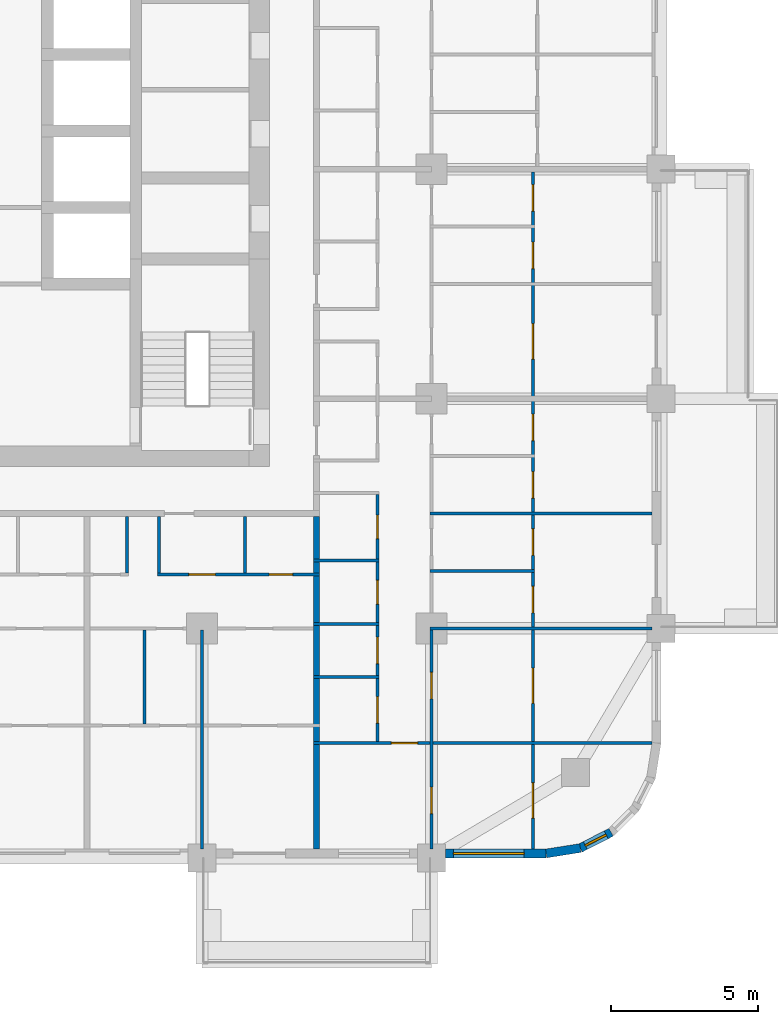
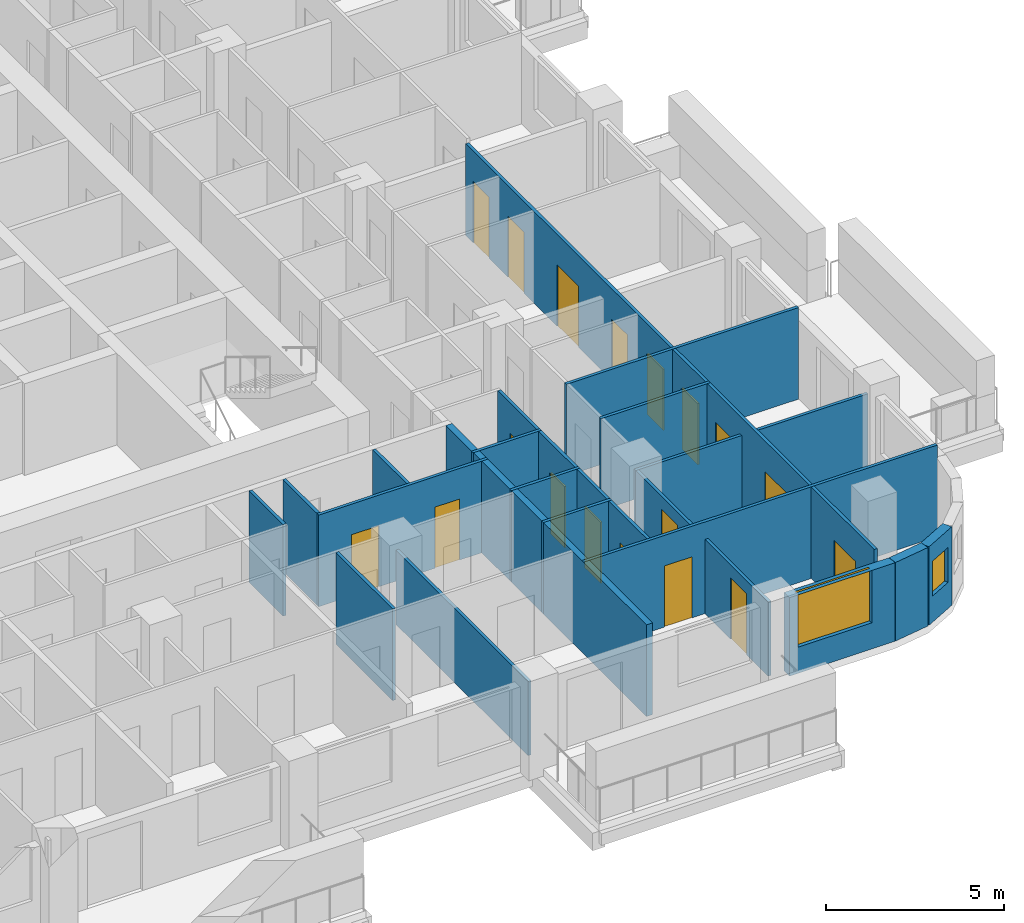
# One storey, part 7 of 18: 20 walls, 18 doors, 2 windows, 20 openings.
"""IFC4 building model written with IfcOpenShell, lengths in metres."""

from ifc_helpers import new_model, si_unit, direction, frame, frame_2d, origin, place, context, subcontext, project, spatial, rectangle, extrude, material, layer, layer_set, type_object, element, fill, save


model = new_model("IFC4")

# Units and contexts
model_context = context("Model", 3, precision=1e-05, world=origin(), true_north=direction((0.0, 1.0)))
body_context = subcontext(model_context, "Body", "Model", "MODEL_VIEW")
ifc_project = project(units=[si_unit("LENGTHUNIT", "METRE"), si_unit("AREAUNIT", "SQUARE_METRE"), si_unit("VOLUMEUNIT", "CUBIC_METRE"), si_unit("PLANEANGLEUNIT", "RADIAN"), si_unit("MASSUNIT", "GRAM", prefix="KILO")], contexts=[model_context])

# Site, building, storey
site_placement = place(None, origin())
site = spatial("IfcSite", under=ifc_project, at=site_placement, CompositionType="ELEMENT")
building_placement = place(site_placement, origin())
building = spatial("IfcBuilding", under=site, at=building_placement, Name="Ludao Terraces", CompositionType="ELEMENT")
storey_placement = place(building_placement, frame((0.0, 0.0, 64.800048828125)))
storey = spatial("IfcBuildingStorey", under=building, at=storey_placement, Name="L17", CompositionType="ELEMENT", Elevation=64.800048828125)

# Wall, opening, window
ifc_material_1 = material(Name="Granite cladding", Category="masonry")
ifc_layer_1 = layer(ifc_material_1, 0.0400390625, Category="stone")
ifc_material_2 = material(Name="Mineral wool")
ifc_layer_2 = layer(ifc_material_2, 0.06005859375)
ifc_material_3 = material(Name="Concrete C40", Category="concrete")
ifc_layer_3 = layer(ifc_material_3, 0.199951171875, Category="concrete")
ifc_layer_set_1 = layer_set([ifc_layer_1, ifc_layer_2, ifc_layer_3], Name="ENV Stone-clad wall 300")
wall_type_1 = type_object("IfcWallType", Name="ENV Stone-clad wall 300", PredefinedType="SOLIDWALL", material=ifc_layer_set_1)
wall_1_placement = place(storey_placement, frame((101.074951171875, 41.75, 0.0), z_axis=(0.0, 0.0, 1.0), x_axis=(1.0, 0.0, 0.0)))
wall_1 = element("IfcWall", 1, at=wall_1_placement, inside=storey, type_object=wall_type_1, Name="EW-L17-S6", PredefinedType="SOLIDWALL", context=body_context, shape_type="SweptSolid", body=[
    extrude(rectangle(XDim=3.425048828125, YDim=0.300048828125, at=frame_2d((1.71240234375, 0.0))), origin(), (0.0, 0.0, 1.0), 2.699951171875),
])
opening_1_placement = place(wall_1_placement, frame((0.27490234375, 0.0, 0.89990234375)))
opening_1 = element("IfcOpeningElement", 2, at=opening_1_placement, cuts=wall_1, Name="Opening W1", PredefinedType="OPENING", context=body_context, shape_type="SweptSolid", body=[
    extrude(rectangle(XDim=2.39990234375, YDim=1.800048828125, at=frame_2d((1.199951171875, 0.89990234375))), frame((0.0, 0.16015625, 0.0), z_axis=(0.0, -1.0, 0.0), x_axis=(1.0, 0.0, 0.0)), (0.0, 0.0, 1.0), 0.320068359375),
])
ifc_material_4 = material(Name="Clear glass in aluminium frame", Category="aluminium")
ifc_layer_4 = layer(ifc_material_4, 0.06005859375)
ifc_layer_set_2 = layer_set([ifc_layer_4], Name="ENV Window W1 2400x1800")
window_type_1 = type_object("IfcWindowType", Name="ENV Window W1 2400x1800", PartitioningType="DOUBLE_PANEL_VERTICAL", PredefinedType="WINDOW", material=ifc_layer_set_2)
window_1_placement = place(opening_1_placement, origin())
window_1 = element("IfcWindow", 3, at=window_1_placement, inside=storey, type_object=window_type_1, Name="W-L17-S6-1", OverallHeight=1.800048828125, OverallWidth=2.39990234375, PartitioningType="DOUBLE_PANEL_VERTICAL", PredefinedType="WINDOW", context=body_context, shape_type="SweptSolid", body=[
    extrude(rectangle(XDim=2.39990234375, YDim=1.800048828125, at=frame_2d((1.199951171875, 0.89990234375))), frame((0.0, 0.030029296875, 0.0), z_axis=(0.0, -1.0, 0.0), x_axis=(1.0, 0.0, 0.0)), (0.0, 0.0, 1.0), 0.06005859375),
])
fill(opening_1, window_1)

# Wall
wall_2_placement = place(storey_placement, frame((104.5, 41.75, 0.0), z_axis=(0.0, 0.0, 1.0), x_axis=(0.987678452879, 0.156496880861, 0.0)))
element("IfcWall", 4, at=wall_2_placement, inside=storey, type_object=wall_type_1, Name="EW-L17-SE1", PredefinedType="SOLIDWALL", context=body_context, shape_type="SweptSolid", body=[
    extrude(rectangle(XDim=1.173095703125, YDim=0.300048828125, at=frame_2d((0.58642578125, 0.0))), origin(), (0.0, 0.0, 1.0), 2.699951171875),
])

# Wall, opening, window
wall_3_placement = place(storey_placement, frame((105.65869140625, 41.93359375, 0.0), z_axis=(0.0, 0.0, 1.0), x_axis=(0.890988677504, 0.454025524128, 0.0)))
wall_3 = element("IfcWall", 5, at=wall_3_placement, inside=storey, type_object=wall_type_1, Name="EW-L17-SE2", PredefinedType="SOLIDWALL", context=body_context, shape_type="SweptSolid", body=[
    extrude(rectangle(XDim=1.17333984375, YDim=0.300048828125, at=frame_2d((0.586669921875, 0.0))), origin(), (0.0, 0.0, 1.0), 2.699951171875),
])
opening_2_placement = place(wall_3_placement, frame((0.1865234375, 0.0, 0.89990234375)))
opening_2 = element("IfcOpeningElement", 6, at=opening_2_placement, cuts=wall_3, Name="Opening W3", PredefinedType="OPENING", context=body_context, shape_type="SweptSolid", body=[
    extrude(rectangle(XDim=0.800048828125, YDim=1.199951171875, at=frame_2d((0.39990234375, 0.60009765625))), frame((0.0, 0.16015625, 0.0), z_axis=(0.0, -1.0, 0.0), x_axis=(1.0, 0.0, 0.0)), (0.0, 0.0, 1.0), 0.320068359375),
])
ifc_layer_5 = layer(ifc_material_4, 0.06005859375)
ifc_layer_set_3 = layer_set([ifc_layer_5], Name="ENV Window W3 800x1200")
window_type_2 = type_object("IfcWindowType", Name="ENV Window W3 800x1200", PartitioningType="SINGLE_PANEL", PredefinedType="WINDOW", material=ifc_layer_set_3)
window_2_placement = place(opening_2_placement, origin())
window_2 = element("IfcWindow", 7, at=window_2_placement, inside=storey, type_object=window_type_2, Name="W-L17-SE2", OverallHeight=1.199951171875, OverallWidth=0.800048828125, PartitioningType="SINGLE_PANEL", PredefinedType="WINDOW", context=body_context, shape_type="SweptSolid", body=[
    extrude(rectangle(XDim=0.800048828125, YDim=1.199951171875, at=frame_2d((0.39990234375, 0.60009765625))), frame((0.0, 0.030029296875, 0.0), z_axis=(0.0, -1.0, 0.0), x_axis=(1.0, 0.0, 0.0)), (0.0, 0.0, 1.0), 0.06005859375),
])
fill(opening_2, window_2)

# Wall, opening, door
ifc_material_5 = material(Name="Gypsum plasterboard", Category="gypsum")
ifc_layer_6 = layer(ifc_material_5, 0.012451171875, Category="gypsum")
ifc_layer_7 = layer(ifc_material_2, 0.06005859375, Name="insulation")
ifc_material_6 = material(Name="Steel Q235", Category="steel")
ifc_layer_8 = layer(ifc_material_6, 0.014892578125, Name="stud")
ifc_layer_9 = layer(ifc_material_5, 0.012451171875, Category="gypsum")
ifc_layer_set_4 = layer_set([ifc_layer_6, ifc_layer_7, ifc_layer_8, ifc_layer_9], Name="INT Partition 100")
wall_type_2 = type_object("IfcWallType", Name="INT Partition 100", PredefinedType="PARTITIONING", material=ifc_layer_set_4)
wall_4_placement = place(storey_placement, frame((96.60009765625, 45.5, 0.0), z_axis=(0.0, 0.0, 1.0), x_axis=(1.0, 0.0, 0.0)))
wall_4 = element("IfcWall", 8, at=wall_4_placement, inside=storey, type_object=wall_type_2, Name="PW-L17-PW001", PredefinedType="PARTITIONING", context=body_context, shape_type="SweptSolid", body=[
    extrude(rectangle(XDim=11.5, YDim=0.10009765625, at=frame_2d((5.75, 0.0))), origin(), (0.0, 0.0, 1.0), 3.14990234375),
])
opening_3_placement = place(wall_4_placement, frame((2.635009765625, 0.0, 0.0)))
opening_3 = element("IfcOpeningElement", 9, at=opening_3_placement, cuts=wall_4, Name="Opening R05-006", PredefinedType="OPENING", context=body_context, shape_type="SweptSolid", body=[
    extrude(rectangle(XDim=0.89990234375, YDim=2.10009765625, at=frame_2d((0.449951171875, 1.050048828125))), frame((0.0, 0.06005859375, 0.0), z_axis=(0.0, -1.0, 0.0), x_axis=(1.0, 0.0, 0.0)), (0.0, 0.0, 1.0), 0.1201171875),
])
ifc_material_7 = material(Name="Timber door leaf", Category="wood")
door_type_1 = type_object("IfcDoorType", Name="INT Room door 900", OperationType="SINGLE_SWING_LEFT", PredefinedType="DOOR", material=ifc_material_7)
door_1_placement = place(opening_3_placement, origin())
door_1 = element("IfcDoor", 10, at=door_1_placement, inside=storey, type_object=door_type_1, Name="DOOR 006", OperationType="SINGLE_SWING_RIGHT", OverallHeight=2.10009765625, OverallWidth=0.89990234375, PredefinedType="DOOR", context=body_context, shape_type="SweptSolid", body=[
    extrude(rectangle(XDim=0.89990234375, YDim=2.10009765625, at=frame_2d((0.449951171875, 1.050048828125))), frame((0.0, 0.02490234375, 0.0), z_axis=(0.0, -1.0, 0.0), x_axis=(1.0, 0.0, 0.0)), (0.0, 0.0, 1.0), 0.050048828125),
])
fill(opening_3, door_1)

# Walls
wall_5_placement = place(storey_placement, frame((96.60009765625, 47.75, 0.0), z_axis=(0.0, 0.0, 1.0), x_axis=(1.0, 0.0, 0.0)))
element("IfcWall", 11, at=wall_5_placement, inside=storey, type_object=wall_type_2, Name="PW-L17-PW005", PredefinedType="PARTITIONING", context=body_context, shape_type="SweptSolid", body=[
    extrude(rectangle(XDim=2.219970703125, YDim=0.10009765625, at=frame_2d((1.10986328125, 0.0))), origin(), (0.0, 0.0, 1.0), 3.14990234375),
])
wall_6_placement = place(storey_placement, frame((100.550048828125, 49.39990234375, 0.0), z_axis=(0.0, 0.0, 1.0), x_axis=(1.0, 0.0, 0.0)))
element("IfcWall", 12, at=wall_6_placement, inside=storey, type_object=wall_type_2, Name="PW-L17-PW009", PredefinedType="PARTITIONING", context=body_context, shape_type="SweptSolid", body=[
    extrude(rectangle(XDim=7.550048828125, YDim=0.10009765625, at=frame_2d((3.77490234375, 0.0))), origin(), (0.0, 0.0, 1.0), 2.5498046875),
])
wall_7_placement = place(storey_placement, frame((96.60009765625, 49.550048828125, 0.0), z_axis=(0.0, 0.0, 1.0), x_axis=(1.0, 0.0, 0.0)))
element("IfcWall", 13, at=wall_7_placement, inside=storey, type_object=wall_type_2, Name="PW-L17-PW010", PredefinedType="PARTITIONING", context=body_context, shape_type="SweptSolid", body=[
    extrude(rectangle(XDim=2.219970703125, YDim=0.10009765625, at=frame_2d((1.10986328125, 0.0))), origin(), (0.0, 0.0, 1.0), 3.14990234375),
])

# Wall, openings, doors
wall_8_placement = place(storey_placement, frame((91.300048828125, 51.22998046875, 0.0), z_axis=(0.0, 0.0, 1.0), x_axis=(1.0, 0.0, 0.0)))
wall_8 = element("IfcWall", 14, at=wall_8_placement, inside=storey, type_object=wall_type_2, Name="PW-L17-PW014", PredefinedType="PARTITIONING", context=body_context, shape_type="SweptSolid", body=[
    extrude(rectangle(XDim=5.5, YDim=0.10009765625, at=frame_2d((2.75, 0.0))), origin(), (0.0, 0.0, 1.0), 3.14990234375),
])
opening_4_placement = place(wall_8_placement, frame((1.06005859375, 0.0, 0.0)))
opening_4 = element("IfcOpeningElement", 15, at=opening_4_placement, cuts=wall_8, Name="Opening R05-040", PredefinedType="OPENING", context=body_context, shape_type="SweptSolid", body=[
    extrude(rectangle(XDim=0.89990234375, YDim=2.10009765625, at=frame_2d((0.449951171875, 1.050048828125))), frame((0.0, 0.06005859375, 0.0), z_axis=(0.0, -1.0, 0.0), x_axis=(1.0, 0.0, 0.0)), (0.0, 0.0, 1.0), 0.1201171875),
])
opening_5_placement = place(wall_8_placement, frame((3.784912109375, 0.0, 0.0)))
opening_5 = element("IfcOpeningElement", 16, at=opening_5_placement, cuts=wall_8, Name="Opening R05-041", PredefinedType="OPENING", context=body_context, shape_type="SweptSolid", body=[
    extrude(rectangle(XDim=0.800048828125, YDim=2.10009765625, at=frame_2d((0.39990234375, 1.050048828125))), frame((0.0, 0.06005859375, 0.0), z_axis=(0.0, -1.0, 0.0), x_axis=(1.0, 0.0, 0.0)), (0.0, 0.0, 1.0), 0.1201171875),
])
door_2_placement = place(opening_4_placement, origin())
door_2 = element("IfcDoor", 17, at=door_2_placement, inside=storey, type_object=door_type_1, Name="DOOR 040", OperationType="SINGLE_SWING_LEFT", OverallHeight=2.10009765625, OverallWidth=0.89990234375, PredefinedType="DOOR", context=body_context, shape_type="SweptSolid", body=[
    extrude(rectangle(XDim=0.89990234375, YDim=2.10009765625, at=frame_2d((0.449951171875, 1.050048828125))), frame((0.0, 0.02490234375, 0.0), z_axis=(0.0, -1.0, 0.0), x_axis=(1.0, 0.0, 0.0)), (0.0, 0.0, 1.0), 0.050048828125),
])
fill(opening_4, door_2)
door_type_2 = type_object("IfcDoorType", Name="INT Store door 800", OperationType="SINGLE_SWING_LEFT", PredefinedType="DOOR", material=ifc_material_7)
door_3_placement = place(opening_5_placement, origin())
door_3 = element("IfcDoor", 18, at=door_3_placement, inside=storey, type_object=door_type_2, Name="DOOR 041", OperationType="SINGLE_SWING_RIGHT", OverallHeight=2.10009765625, OverallWidth=0.800048828125, PredefinedType="DOOR", context=body_context, shape_type="SweptSolid", body=[
    extrude(rectangle(XDim=0.800048828125, YDim=2.10009765625, at=frame_2d((0.39990234375, 1.050048828125))), frame((0.0, 0.02490234375, 0.0), z_axis=(0.0, -1.0, 0.0), x_axis=(1.0, 0.0, 0.0)), (0.0, 0.0, 1.0), 0.050048828125),
])
fill(opening_5, door_3)

# Walls
wall_9_placement = place(storey_placement, frame((100.550048828125, 51.35009765625, 0.0), z_axis=(0.0, 0.0, 1.0), x_axis=(1.0, 0.0, 0.0)))
element("IfcWall", 19, at=wall_9_placement, inside=storey, type_object=wall_type_2, Name="PW-L17-PW015", PredefinedType="PARTITIONING", context=body_context, shape_type="SweptSolid", body=[
    extrude(rectangle(XDim=3.550048828125, YDim=0.10009765625, at=frame_2d((1.77490234375, 0.0))), origin(), (0.0, 0.0, 1.0), 3.14990234375),
])
wall_10_placement = place(storey_placement, frame((96.60009765625, 51.699951171875, 0.0), z_axis=(0.0, 0.0, 1.0), x_axis=(1.0, 0.0, 0.0)))
element("IfcWall", 20, at=wall_10_placement, inside=storey, type_object=wall_type_2, Name="PW-L17-PW017", PredefinedType="PARTITIONING", context=body_context, shape_type="SweptSolid", body=[
    extrude(rectangle(XDim=2.219970703125, YDim=0.10009765625, at=frame_2d((1.10986328125, 0.0))), origin(), (0.0, 0.0, 1.0), 3.14990234375),
])
wall_11_placement = place(storey_placement, frame((100.550048828125, 53.300048828125, 0.0), z_axis=(0.0, 0.0, 1.0), x_axis=(1.0, 0.0, 0.0)))
element("IfcWall", 21, at=wall_11_placement, inside=storey, type_object=wall_type_2, Name="PW-L17-PW020", PredefinedType="PARTITIONING", context=body_context, shape_type="SweptSolid", body=[
    extrude(rectangle(XDim=7.550048828125, YDim=0.10009765625, at=frame_2d((3.77490234375, 0.0))), origin(), (0.0, 0.0, 1.0), 3.14990234375),
])
wall_12_placement = place(storey_placement, frame((90.25, 51.280029296875, 0.0), z_axis=(0.0, 0.0, 1.0), x_axis=(0.0, 1.0, 0.0)))
element("IfcWall", 22, at=wall_12_placement, inside=storey, type_object=wall_type_2, Name="PW-L17-PW111", PredefinedType="PARTITIONING", context=body_context, shape_type="SweptSolid", body=[
    extrude(rectangle(XDim=1.920166015625, YDim=0.10009765625, at=frame_2d((0.9599609375, 0.0))), origin(), (0.0, 0.0, 1.0), 3.14990234375),
])
wall_13_placement = place(storey_placement, frame((90.85009765625, 46.150146484375, 0.0), z_axis=(0.0, 0.0, 1.0), x_axis=(0.0, 1.0, 0.0)))
element("IfcWall", 23, at=wall_13_placement, inside=storey, type_object=wall_type_2, Name="PW-L17-PW112", PredefinedType="PARTITIONING", context=body_context, shape_type="SweptSolid", body=[
    extrude(rectangle(XDim=3.199951171875, YDim=0.10009765625, at=frame_2d((1.60009765625, 0.0))), origin(), (0.0, 0.0, 1.0), 3.14990234375),
])
wall_14_placement = place(storey_placement, frame((91.35009765625, 51.280029296875, 0.0), z_axis=(0.0, 0.0, 1.0), x_axis=(0.0, 1.0, 0.0)))
element("IfcWall", 24, at=wall_14_placement, inside=storey, type_object=wall_type_2, Name="PW-L17-PW113", PredefinedType="PARTITIONING", context=body_context, shape_type="SweptSolid", body=[
    extrude(rectangle(XDim=1.920166015625, YDim=0.10009765625, at=frame_2d((0.9599609375, 0.0))), origin(), (0.0, 0.0, 1.0), 3.14990234375),
])
wall_15_placement = place(storey_placement, frame((92.800048828125, 41.900146484375, 0.0), z_axis=(0.0, 0.0, 1.0), x_axis=(0.0, 1.0, 0.0)))
element("IfcWall", 25, at=wall_15_placement, inside=storey, type_object=wall_type_2, Name="PW-L17-PW114", PredefinedType="PARTITIONING", context=body_context, shape_type="SweptSolid", body=[
    extrude(rectangle(XDim=7.449951171875, YDim=0.10009765625, at=frame_2d((3.72509765625, 0.0))), origin(), (0.0, 0.0, 1.0), 2.5498046875),
])
wall_16_placement = place(storey_placement, frame((94.27001953125, 51.280029296875, 0.0), z_axis=(0.0, 0.0, 1.0), x_axis=(0.0, 1.0, 0.0)))
element("IfcWall", 26, at=wall_16_placement, inside=storey, type_object=wall_type_2, Name="PW-L17-PW116", PredefinedType="PARTITIONING", context=body_context, shape_type="SweptSolid", body=[
    extrude(rectangle(XDim=1.920166015625, YDim=0.10009765625, at=frame_2d((0.9599609375, 0.0))), origin(), (0.0, 0.0, 1.0), 3.14990234375),
])

# Wall, openings, doors
wall_17_placement = place(storey_placement, frame((98.77001953125, 45.550048828125, 0.0), z_axis=(0.0, 0.0, 1.0), x_axis=(0.0, 1.0, 0.0)))
wall_17 = element("IfcWall", 27, at=wall_17_placement, inside=storey, type_object=wall_type_2, Name="PW-L17-PW120", PredefinedType="PARTITIONING", context=body_context, shape_type="SweptSolid", body=[
    extrude(rectangle(XDim=8.400146484375, YDim=0.10009765625, at=frame_2d((4.2001953125, 0.0))), origin(), (0.0, 0.0, 1.0), 3.14990234375),
])
opening_6_placement = place(wall_17_placement, frame((0.625, 0.0, 0.0)))
opening_6 = element("IfcOpeningElement", 28, at=opening_6_placement, cuts=wall_17, Name="Opening R05-017", PredefinedType="OPENING", context=body_context, shape_type="SweptSolid", body=[
    extrude(rectangle(XDim=0.89990234375, YDim=2.10009765625, at=frame_2d((0.449951171875, 1.050048828125))), frame((0.0, 0.06005859375, 0.0), z_axis=(0.0, -1.0, 0.0), x_axis=(1.0, 0.0, 0.0)), (0.0, 0.0, 1.0), 0.1201171875),
])
opening_7_placement = place(wall_17_placement, frame((2.64990234375, 0.0, 0.0)))
opening_7 = element("IfcOpeningElement", 29, at=opening_7_placement, cuts=wall_17, Name="Opening R05-023", PredefinedType="OPENING", context=body_context, shape_type="SweptSolid", body=[
    extrude(rectangle(XDim=0.89990234375, YDim=2.10009765625, at=frame_2d((0.449951171875, 1.050048828125))), frame((0.0, 0.06005859375, 0.0), z_axis=(0.0, -1.0, 0.0), x_axis=(1.0, 0.0, 0.0)), (0.0, 0.0, 1.0), 0.1201171875),
])
opening_8_placement = place(wall_17_placement, frame((4.675048828125, 0.0, 0.0)))
opening_8 = element("IfcOpeningElement", 30, at=opening_8_placement, cuts=wall_17, Name="Opening R05-032", PredefinedType="OPENING", context=body_context, shape_type="SweptSolid", body=[
    extrude(rectangle(XDim=0.800048828125, YDim=2.10009765625, at=frame_2d((0.39990234375, 1.050048828125))), frame((0.0, 0.06005859375, 0.0), z_axis=(0.0, -1.0, 0.0), x_axis=(1.0, 0.0, 0.0)), (0.0, 0.0, 1.0), 0.1201171875),
])
opening_9_placement = place(wall_17_placement, frame((6.89990234375, 0.0, 0.0)))
opening_9 = element("IfcOpeningElement", 31, at=opening_9_placement, cuts=wall_17, Name="Opening R05-047", PredefinedType="OPENING", context=body_context, shape_type="SweptSolid", body=[
    extrude(rectangle(XDim=0.800048828125, YDim=2.10009765625, at=frame_2d((0.39990234375, 1.050048828125))), frame((0.0, 0.06005859375, 0.0), z_axis=(0.0, -1.0, 0.0), x_axis=(1.0, 0.0, 0.0)), (0.0, 0.0, 1.0), 0.1201171875),
])
door_type_3 = type_object("IfcDoorType", Name="INT Bathroom door 900", OperationType="SINGLE_SWING_LEFT", PredefinedType="DOOR", material=ifc_material_7)
door_4_placement = place(opening_6_placement, origin())
door_4 = element("IfcDoor", 32, at=door_4_placement, inside=storey, type_object=door_type_3, Name="DOOR 017", OperationType="SINGLE_SWING_LEFT", OverallHeight=2.10009765625, OverallWidth=0.89990234375, PredefinedType="DOOR", context=body_context, shape_type="SweptSolid", body=[
    extrude(rectangle(XDim=0.89990234375, YDim=2.10009765625, at=frame_2d((0.449951171875, 1.050048828125))), frame((0.0, 0.02490234375, 0.0), z_axis=(0.0, -1.0, 0.0), x_axis=(1.0, 0.0, 0.0)), (0.0, 0.0, 1.0), 0.050048828125),
])
fill(opening_6, door_4)
door_5_placement = place(opening_7_placement, origin())
door_5 = element("IfcDoor", 33, at=door_5_placement, inside=storey, type_object=door_type_3, Name="DOOR 023", OperationType="SINGLE_SWING_RIGHT", OverallHeight=2.10009765625, OverallWidth=0.89990234375, PredefinedType="DOOR", context=body_context, shape_type="SweptSolid", body=[
    extrude(rectangle(XDim=0.89990234375, YDim=2.10009765625, at=frame_2d((0.449951171875, 1.050048828125))), frame((0.0, 0.02490234375, 0.0), z_axis=(0.0, -1.0, 0.0), x_axis=(1.0, 0.0, 0.0)), (0.0, 0.0, 1.0), 0.050048828125),
])
fill(opening_7, door_5)
door_6_placement = place(opening_8_placement, origin())
door_6 = element("IfcDoor", 34, at=door_6_placement, inside=storey, type_object=door_type_2, Name="DOOR 032", OperationType="SINGLE_SWING_LEFT", OverallHeight=2.10009765625, OverallWidth=0.800048828125, PredefinedType="DOOR", context=body_context, shape_type="SweptSolid", body=[
    extrude(rectangle(XDim=0.800048828125, YDim=2.10009765625, at=frame_2d((0.39990234375, 1.050048828125))), frame((0.0, 0.02490234375, 0.0), z_axis=(0.0, -1.0, 0.0), x_axis=(1.0, 0.0, 0.0)), (0.0, 0.0, 1.0), 0.050048828125),
])
fill(opening_8, door_6)
door_7_placement = place(opening_9_placement, origin())
door_7 = element("IfcDoor", 35, at=door_7_placement, inside=storey, type_object=door_type_2, Name="DOOR 047", OperationType="SINGLE_SWING_LEFT", OverallHeight=2.10009765625, OverallWidth=0.800048828125, PredefinedType="DOOR", context=body_context, shape_type="SweptSolid", body=[
    extrude(rectangle(XDim=0.800048828125, YDim=2.10009765625, at=frame_2d((0.39990234375, 1.050048828125))), frame((0.0, 0.02490234375, 0.0), z_axis=(0.0, -1.0, 0.0), x_axis=(1.0, 0.0, 0.0)), (0.0, 0.0, 1.0), 0.050048828125),
])
fill(opening_9, door_7)

wall_18_placement = place(storey_placement, frame((100.60009765625, 41.900146484375, 0.0), z_axis=(0.0, 0.0, 1.0), x_axis=(0.0, 1.0, 0.0)))
wall_18 = element("IfcWall", 36, at=wall_18_placement, inside=storey, type_object=wall_type_2, Name="PW-L17-PW125", PredefinedType="PARTITIONING", context=body_context, shape_type="SweptSolid", body=[
    extrude(rectangle(XDim=7.499755859375, YDim=0.10009765625, at=frame_2d((3.75, 0.0))), origin(), (0.0, 0.0, 1.0), 2.5498046875),
])
opening_10_placement = place(wall_18_placement, frame((1.199951171875, 0.0, 0.0)))
opening_10 = element("IfcOpeningElement", 37, at=opening_10_placement, cuts=wall_18, Name="Opening R05-003", PredefinedType="OPENING", context=body_context, shape_type="SweptSolid", body=[
    extrude(rectangle(XDim=0.89990234375, YDim=2.10009765625, at=frame_2d((0.449951171875, 1.050048828125))), frame((0.0, 0.06005859375, 0.0), z_axis=(0.0, -1.0, 0.0), x_axis=(1.0, 0.0, 0.0)), (0.0, 0.0, 1.0), 0.1201171875),
])
opening_11_placement = place(wall_18_placement, frame((5.10009765625, 0.0, 0.0)))
opening_11 = element("IfcOpeningElement", 38, at=opening_11_placement, cuts=wall_18, Name="Opening R05-019", PredefinedType="OPENING", context=body_context, shape_type="SweptSolid", body=[
    extrude(rectangle(XDim=0.89990234375, YDim=2.10009765625, at=frame_2d((0.449951171875, 1.050048828125))), frame((0.0, 0.06005859375, 0.0), z_axis=(0.0, -1.0, 0.0), x_axis=(1.0, 0.0, 0.0)), (0.0, 0.0, 1.0), 0.1201171875),
])
door_8_placement = place(opening_10_placement, origin())
door_8 = element("IfcDoor", 39, at=door_8_placement, inside=storey, type_object=door_type_1, Name="DOOR 003", OperationType="SINGLE_SWING_RIGHT", OverallHeight=2.10009765625, OverallWidth=0.89990234375, PredefinedType="DOOR", context=body_context, shape_type="SweptSolid", body=[
    extrude(rectangle(XDim=0.89990234375, YDim=2.10009765625, at=frame_2d((0.449951171875, 1.050048828125))), frame((0.0, 0.02490234375, 0.0), z_axis=(0.0, -1.0, 0.0), x_axis=(1.0, 0.0, 0.0)), (0.0, 0.0, 1.0), 0.050048828125),
])
fill(opening_10, door_8)
door_9_placement = place(opening_11_placement, origin())
door_9 = element("IfcDoor", 40, at=door_9_placement, inside=storey, type_object=door_type_1, Name="DOOR 019", OperationType="SINGLE_SWING_RIGHT", OverallHeight=2.10009765625, OverallWidth=0.89990234375, PredefinedType="DOOR", context=body_context, shape_type="SweptSolid", body=[
    extrude(rectangle(XDim=0.89990234375, YDim=2.10009765625, at=frame_2d((0.449951171875, 1.050048828125))), frame((0.0, 0.02490234375, 0.0), z_axis=(0.0, -1.0, 0.0), x_axis=(1.0, 0.0, 0.0)), (0.0, 0.0, 1.0), 0.050048828125),
])
fill(opening_11, door_9)

wall_19_placement = place(storey_placement, frame((104.050048828125, 41.900146484375, 0.0), z_axis=(0.0, 0.0, 1.0), x_axis=(0.0, 1.0, 0.0)))
wall_19 = element("IfcWall", 41, at=wall_19_placement, inside=storey, type_object=wall_type_2, Name="PW-L17-PW126", PredefinedType="PARTITIONING", context=body_context, shape_type="SweptSolid", body=[
    extrude(rectangle(XDim=23.0, YDim=0.10009765625, at=frame_2d((11.5, 0.0))), origin(), (0.0, 0.0, 1.0), 3.14990234375),
])
opening_12_placement = place(wall_19_placement, frame((1.050048828125, 0.0, 0.0)))
opening_12 = element("IfcOpeningElement", 42, at=opening_12_placement, cuts=wall_19, Name="Opening R05-004", PredefinedType="OPENING", context=body_context, shape_type="SweptSolid", body=[
    extrude(rectangle(XDim=1.199951171875, YDim=2.10009765625, at=frame_2d((0.60009765625, 1.050048828125))), frame((0.0, 0.06005859375, 0.0), z_axis=(0.0, -1.0, 0.0), x_axis=(1.0, 0.0, 0.0)), (0.0, 0.0, 1.0), 0.1201171875),
])
opening_13_placement = place(wall_19_placement, frame((4.949951171875, 0.0, 0.0)))
opening_13 = element("IfcOpeningElement", 43, at=opening_13_placement, cuts=wall_19, Name="Opening R05-020", PredefinedType="OPENING", context=body_context, shape_type="SweptSolid", body=[
    extrude(rectangle(XDim=1.199951171875, YDim=2.10009765625, at=frame_2d((0.60009765625, 1.050048828125))), frame((0.0, 0.06005859375, 0.0), z_axis=(0.0, -1.0, 0.0), x_axis=(1.0, 0.0, 0.0)), (0.0, 0.0, 1.0), 0.1201171875),
])
opening_14_placement = place(wall_19_placement, frame((8.02490234375, 0.0, 0.0)))
opening_14 = element("IfcOpeningElement", 44, at=opening_14_placement, cuts=wall_19, Name="Opening R05-031", PredefinedType="OPENING", context=body_context, shape_type="SweptSolid", body=[
    extrude(rectangle(XDim=0.89990234375, YDim=2.10009765625, at=frame_2d((0.449951171875, 1.050048828125))), frame((0.0, 0.06005859375, 0.0), z_axis=(0.0, -1.0, 0.0), x_axis=(1.0, 0.0, 0.0)), (0.0, 0.0, 1.0), 0.1201171875),
])
opening_15_placement = place(wall_19_placement, frame((9.97509765625, 0.0, 0.0)))
opening_15 = element("IfcOpeningElement", 45, at=opening_15_placement, cuts=wall_19, Name="Opening R05-045", PredefinedType="OPENING", context=body_context, shape_type="SweptSolid", body=[
    extrude(rectangle(XDim=0.89990234375, YDim=2.10009765625, at=frame_2d((0.449951171875, 1.050048828125))), frame((0.0, 0.06005859375, 0.0), z_axis=(0.0, -1.0, 0.0), x_axis=(1.0, 0.0, 0.0)), (0.0, 0.0, 1.0), 0.1201171875),
])
opening_16_placement = place(wall_19_placement, frame((11.925048828125, 0.0, 0.0)))
opening_16 = element("IfcOpeningElement", 46, at=opening_16_placement, cuts=wall_19, Name="Opening R05-051", PredefinedType="OPENING", context=body_context, shape_type="SweptSolid", body=[
    extrude(rectangle(XDim=0.89990234375, YDim=2.10009765625, at=frame_2d((0.449951171875, 1.050048828125))), frame((0.0, 0.06005859375, 0.0), z_axis=(0.0, -1.0, 0.0), x_axis=(1.0, 0.0, 0.0)), (0.0, 0.0, 1.0), 0.1201171875),
])
opening_17_placement = place(wall_19_placement, frame((13.875, 0.0, 0.0)))
opening_17 = element("IfcOpeningElement", 47, at=opening_17_placement, cuts=wall_19, Name="Opening R05-060", PredefinedType="OPENING", context=body_context, shape_type="SweptSolid", body=[
    extrude(rectangle(XDim=0.89990234375, YDim=2.10009765625, at=frame_2d((0.449951171875, 1.050048828125))), frame((0.0, 0.06005859375, 0.0), z_axis=(0.0, -1.0, 0.0), x_axis=(1.0, 0.0, 0.0)), (0.0, 0.0, 1.0), 0.1201171875),
])
opening_18_placement = place(wall_19_placement, frame((16.64990234375, 0.0, 0.0)))
opening_18 = element("IfcOpeningElement", 48, at=opening_18_placement, cuts=wall_19, Name="Opening R05-068", PredefinedType="OPENING", context=body_context, shape_type="SweptSolid", body=[
    extrude(rectangle(XDim=1.199951171875, YDim=2.10009765625, at=frame_2d((0.60009765625, 1.050048828125))), frame((0.0, 0.06005859375, 0.0), z_axis=(0.0, -1.0, 0.0), x_axis=(1.0, 0.0, 0.0)), (0.0, 0.0, 1.0), 0.1201171875),
])
opening_19_placement = place(wall_19_placement, frame((19.72509765625, 0.0, 0.0)))
opening_19 = element("IfcOpeningElement", 49, at=opening_19_placement, cuts=wall_19, Name="Opening R05-077", PredefinedType="OPENING", context=body_context, shape_type="SweptSolid", body=[
    extrude(rectangle(XDim=0.89990234375, YDim=2.10009765625, at=frame_2d((0.449951171875, 1.050048828125))), frame((0.0, 0.06005859375, 0.0), z_axis=(0.0, -1.0, 0.0), x_axis=(1.0, 0.0, 0.0)), (0.0, 0.0, 1.0), 0.1201171875),
])
opening_20_placement = place(wall_19_placement, frame((21.675048828125, 0.0, 0.0)))
opening_20 = element("IfcOpeningElement", 50, at=opening_20_placement, cuts=wall_19, Name="Opening R05-086", PredefinedType="OPENING", context=body_context, shape_type="SweptSolid", body=[
    extrude(rectangle(XDim=0.89990234375, YDim=2.10009765625, at=frame_2d((0.449951171875, 1.050048828125))), frame((0.0, 0.06005859375, 0.0), z_axis=(0.0, -1.0, 0.0), x_axis=(1.0, 0.0, 0.0)), (0.0, 0.0, 1.0), 0.1201171875),
])
door_10_placement = place(opening_14_placement, origin())
door_10 = element("IfcDoor", 51, at=door_10_placement, inside=storey, type_object=door_type_3, Name="DOOR 031", OperationType="SINGLE_SWING_LEFT", OverallHeight=2.10009765625, OverallWidth=0.89990234375, PredefinedType="DOOR", context=body_context, shape_type="SweptSolid", body=[
    extrude(rectangle(XDim=0.89990234375, YDim=2.10009765625, at=frame_2d((0.449951171875, 1.050048828125))), frame((0.0, 0.02490234375, 0.0), z_axis=(0.0, -1.0, 0.0), x_axis=(1.0, 0.0, 0.0)), (0.0, 0.0, 1.0), 0.050048828125),
])
fill(opening_14, door_10)
door_11_placement = place(opening_16_placement, origin())
door_11 = element("IfcDoor", 52, at=door_11_placement, inside=storey, type_object=door_type_3, Name="DOOR 051", OperationType="SINGLE_SWING_LEFT", OverallHeight=2.10009765625, OverallWidth=0.89990234375, PredefinedType="DOOR", context=body_context, shape_type="SweptSolid", body=[
    extrude(rectangle(XDim=0.89990234375, YDim=2.10009765625, at=frame_2d((0.449951171875, 1.050048828125))), frame((0.0, 0.02490234375, 0.0), z_axis=(0.0, -1.0, 0.0), x_axis=(1.0, 0.0, 0.0)), (0.0, 0.0, 1.0), 0.050048828125),
])
fill(opening_16, door_11)
door_12_placement = place(opening_19_placement, origin())
door_12 = element("IfcDoor", 53, at=door_12_placement, inside=storey, type_object=door_type_3, Name="DOOR 077", OperationType="SINGLE_SWING_RIGHT", OverallHeight=2.10009765625, OverallWidth=0.89990234375, PredefinedType="DOOR", context=body_context, shape_type="SweptSolid", body=[
    extrude(rectangle(XDim=0.89990234375, YDim=2.10009765625, at=frame_2d((0.449951171875, 1.050048828125))), frame((0.0, 0.02490234375, 0.0), z_axis=(0.0, -1.0, 0.0), x_axis=(1.0, 0.0, 0.0)), (0.0, 0.0, 1.0), 0.050048828125),
])
fill(opening_19, door_12)
door_type_4 = type_object("IfcDoorType", Name="INT Double door 1200", OperationType="DOUBLE_DOOR_SINGLE_SWING", PredefinedType="DOOR", material=ifc_material_7)
door_13_placement = place(opening_12_placement, origin())
door_13 = element("IfcDoor", 54, at=door_13_placement, inside=storey, type_object=door_type_4, Name="DOOR 004", OperationType="DOUBLE_DOOR_SINGLE_SWING", OverallHeight=2.10009765625, OverallWidth=1.199951171875, PredefinedType="DOOR", context=body_context, shape_type="SweptSolid", body=[
    extrude(rectangle(XDim=1.199951171875, YDim=2.10009765625, at=frame_2d((0.60009765625, 1.050048828125))), frame((0.0, 0.02490234375, 0.0), z_axis=(0.0, -1.0, 0.0), x_axis=(1.0, 0.0, 0.0)), (0.0, 0.0, 1.0), 0.050048828125),
])
fill(opening_12, door_13)
door_14_placement = place(opening_13_placement, origin())
door_14 = element("IfcDoor", 55, at=door_14_placement, inside=storey, type_object=door_type_4, Name="DOOR 020", OperationType="DOUBLE_DOOR_SINGLE_SWING", OverallHeight=2.10009765625, OverallWidth=1.199951171875, PredefinedType="DOOR", context=body_context, shape_type="SweptSolid", body=[
    extrude(rectangle(XDim=1.199951171875, YDim=2.10009765625, at=frame_2d((0.60009765625, 1.050048828125))), frame((0.0, 0.02490234375, 0.0), z_axis=(0.0, -1.0, 0.0), x_axis=(1.0, 0.0, 0.0)), (0.0, 0.0, 1.0), 0.050048828125),
])
fill(opening_13, door_14)
door_15_placement = place(opening_18_placement, origin())
door_15 = element("IfcDoor", 56, at=door_15_placement, inside=storey, type_object=door_type_4, Name="DOOR 068", OperationType="DOUBLE_DOOR_SINGLE_SWING", OverallHeight=2.10009765625, OverallWidth=1.199951171875, PredefinedType="DOOR", context=body_context, shape_type="SweptSolid", body=[
    extrude(rectangle(XDim=1.199951171875, YDim=2.10009765625, at=frame_2d((0.60009765625, 1.050048828125))), frame((0.0, 0.02490234375, 0.0), z_axis=(0.0, -1.0, 0.0), x_axis=(1.0, 0.0, 0.0)), (0.0, 0.0, 1.0), 0.050048828125),
])
fill(opening_18, door_15)
door_16_placement = place(opening_15_placement, origin())
door_16 = element("IfcDoor", 57, at=door_16_placement, inside=storey, type_object=door_type_1, Name="DOOR 045", OperationType="SINGLE_SWING_LEFT", OverallHeight=2.10009765625, OverallWidth=0.89990234375, PredefinedType="DOOR", context=body_context, shape_type="SweptSolid", body=[
    extrude(rectangle(XDim=0.89990234375, YDim=2.10009765625, at=frame_2d((0.449951171875, 1.050048828125))), frame((0.0, 0.02490234375, 0.0), z_axis=(0.0, -1.0, 0.0), x_axis=(1.0, 0.0, 0.0)), (0.0, 0.0, 1.0), 0.050048828125),
])
fill(opening_15, door_16)
door_17_placement = place(opening_17_placement, origin())
door_17 = element("IfcDoor", 58, at=door_17_placement, inside=storey, type_object=door_type_1, Name="DOOR 060", OperationType="SINGLE_SWING_RIGHT", OverallHeight=2.10009765625, OverallWidth=0.89990234375, PredefinedType="DOOR", context=body_context, shape_type="SweptSolid", body=[
    extrude(rectangle(XDim=0.89990234375, YDim=2.10009765625, at=frame_2d((0.449951171875, 1.050048828125))), frame((0.0, 0.02490234375, 0.0), z_axis=(0.0, -1.0, 0.0), x_axis=(1.0, 0.0, 0.0)), (0.0, 0.0, 1.0), 0.050048828125),
])
fill(opening_17, door_17)
door_18_placement = place(opening_20_placement, origin())
door_18 = element("IfcDoor", 59, at=door_18_placement, inside=storey, type_object=door_type_1, Name="DOOR 086", OperationType="SINGLE_SWING_LEFT", OverallHeight=2.10009765625, OverallWidth=0.89990234375, PredefinedType="DOOR", context=body_context, shape_type="SweptSolid", body=[
    extrude(rectangle(XDim=0.89990234375, YDim=2.10009765625, at=frame_2d((0.449951171875, 1.050048828125))), frame((0.0, 0.02490234375, 0.0), z_axis=(0.0, -1.0, 0.0), x_axis=(1.0, 0.0, 0.0)), (0.0, 0.0, 1.0), 0.050048828125),
])
fill(opening_20, door_18)

# Wall
ifc_material_8 = material(Name="Autoclaved aerated concrete block B06 A3.5", Category="concrete")
ifc_layer_10 = layer(ifc_material_8, 0.199951171875)
ifc_layer_set_5 = layer_set([ifc_layer_10], Name="INT Party wall 200")
wall_type_3 = type_object("IfcWallType", Name="INT Party wall 200", PredefinedType="PARTITIONING", material=ifc_layer_set_5)
wall_20_placement = place(storey_placement, frame((96.699951171875, 41.900146484375, 0.0), z_axis=(0.0, 0.0, 1.0), x_axis=(0.0, 1.0, 0.0)))
element("IfcWall", 60, at=wall_20_placement, inside=storey, type_object=wall_type_3, Name="PW-L17-PW117", PredefinedType="PARTITIONING", context=body_context, shape_type="SweptSolid", body=[
    extrude(rectangle(XDim=11.300048828125, YDim=0.199951171875, at=frame_2d((5.64990234375, 0.0))), origin(), (0.0, 0.0, 1.0), 3.14990234375),
])

save(model, "model.ifc")
